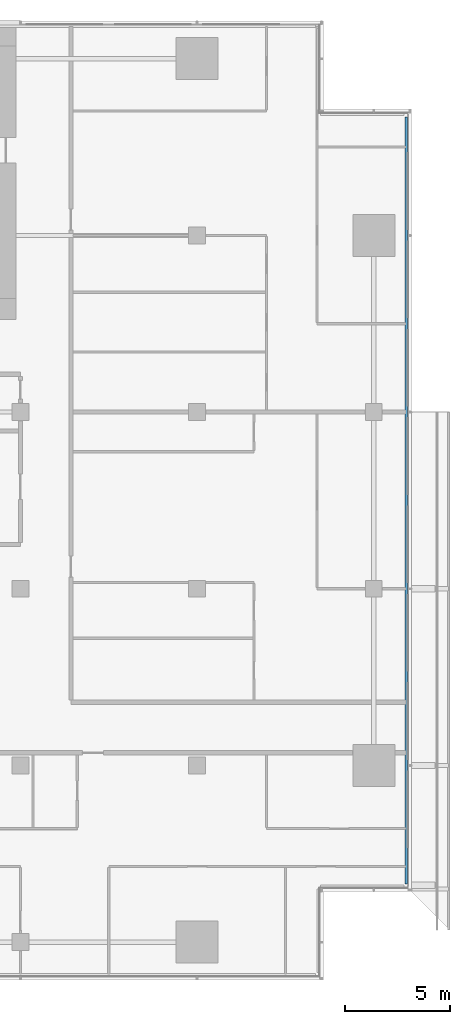
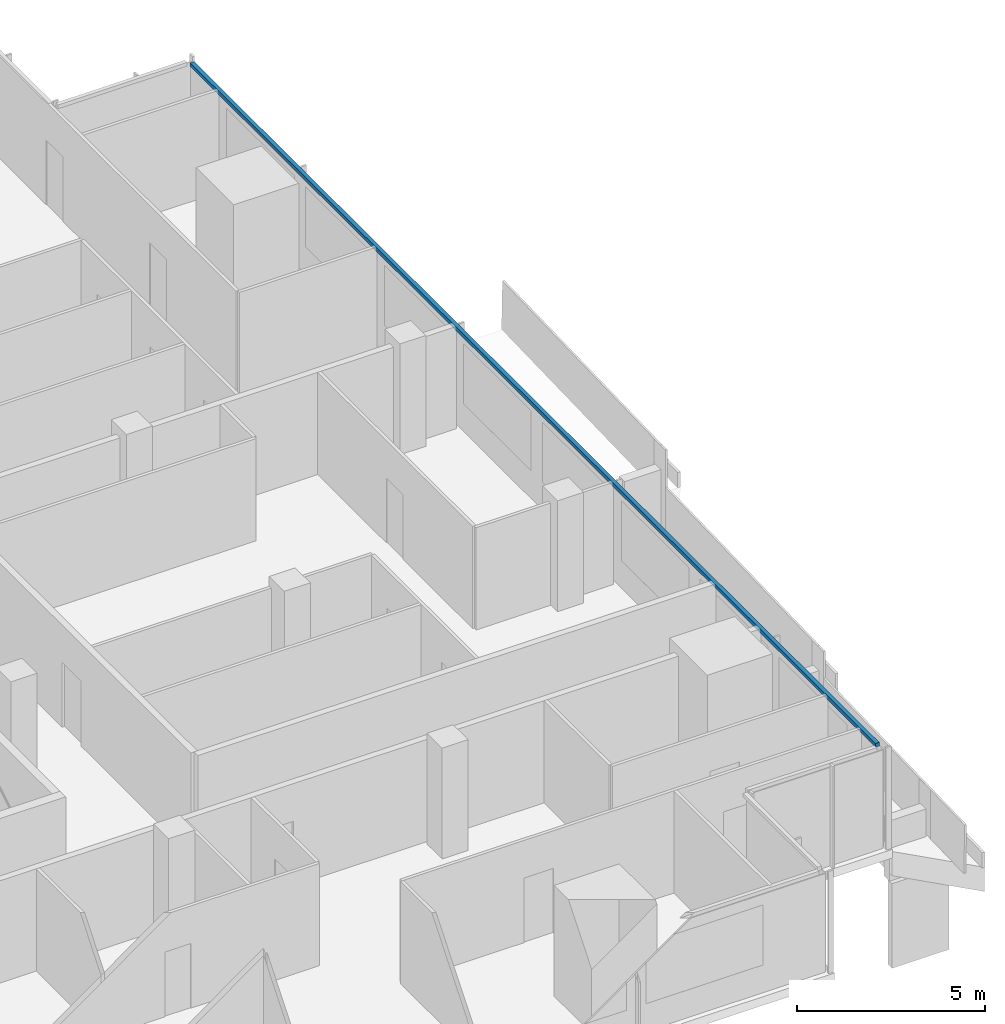
# One storey, part 12 of 25: 1 member, 1 element without a shape of its own.
"""IFC4 building model written with IfcOpenShell, lengths in metres."""

from ifc_helpers import new_model, si_unit, direction, frame, origin, origin_2d, place, context, subcontext, project, spatial, rectangle, extrude, material, material_profile, profile_set, type_object, element, aggregate, save


model = new_model("IFC4")

# Units and contexts
model_context = context("Model", 3, precision=1e-05, world=origin(), true_north=direction((0.0, 1.0)))
body_context = subcontext(model_context, "Body", "Model", "MODEL_VIEW")
ifc_project = project(units=[si_unit("LENGTHUNIT", "METRE"), si_unit("AREAUNIT", "SQUARE_METRE"), si_unit("VOLUMEUNIT", "CUBIC_METRE"), si_unit("PLANEANGLEUNIT", "RADIAN"), si_unit("MASSUNIT", "GRAM", prefix="KILO")], contexts=[model_context])

# Site, building, storey
site_placement = place(None, origin())
site = spatial("IfcSite", under=ifc_project, at=site_placement, CompositionType="ELEMENT")
building_placement = place(site_placement, origin())
building = spatial("IfcBuilding", under=site, at=building_placement, Name="Saffron Gate Tower", CompositionType="ELEMENT")
storey_placement = place(building_placement, frame((0.0, 0.0, 131.25)))
storey = spatial("IfcBuildingStorey", under=building, at=storey_placement, Name="L31", CompositionType="ELEMENT", Elevation=131.25)

# Curtain wall, member
ifc_material = material(Name="Aluminium, bronze anodised", Category="aluminium")
curtain_wall_type = type_object("IfcCurtainWallType", Name="CWS2 curtain wall side facades", PredefinedType="NOTDEFINED", material=ifc_material)
curtain_wall_placement = place(storey_placement, origin())
curtain_wall = element("IfcCurtainWall", 1, at=curtain_wall_placement, inside=storey, type_object=curtain_wall_type, Name="CWS2 run 4", PredefinedType="NOTDEFINED")
ifc_material_profile = material_profile(ifc_material, rectangle(XDim=0.1201171875, YDim=0.1201171875, at=origin_2d()))
ifc_profile_set = profile_set([ifc_material_profile], Name="Aluminium, bronze anodised")
member_type = type_object("IfcMemberType", Name="CWS2 head transom", PredefinedType="USERDEFINED", material=ifc_profile_set)
member_placement = place(storey_placement, frame((126.951904296875, 34.568115234375, 3.260009765625), z_axis=(0.0, 1.0, 0.0), x_axis=(-1.0, 0.0, 0.0)))
member = element("IfcMember", 2, at=member_placement, type_object=member_type, Name="CWS2 head transom", ObjectType="TRANSOM", PredefinedType="USERDEFINED", context=body_context, shape_type="SweptSolid", body=[
    extrude(rectangle(XDim=0.1201171875, YDim=0.1201171875, at=origin_2d()), origin(), (0.0, 0.0, 1.0), 36.4638671875),
])
aggregate(curtain_wall, [member])

save(model, "model.ifc")
